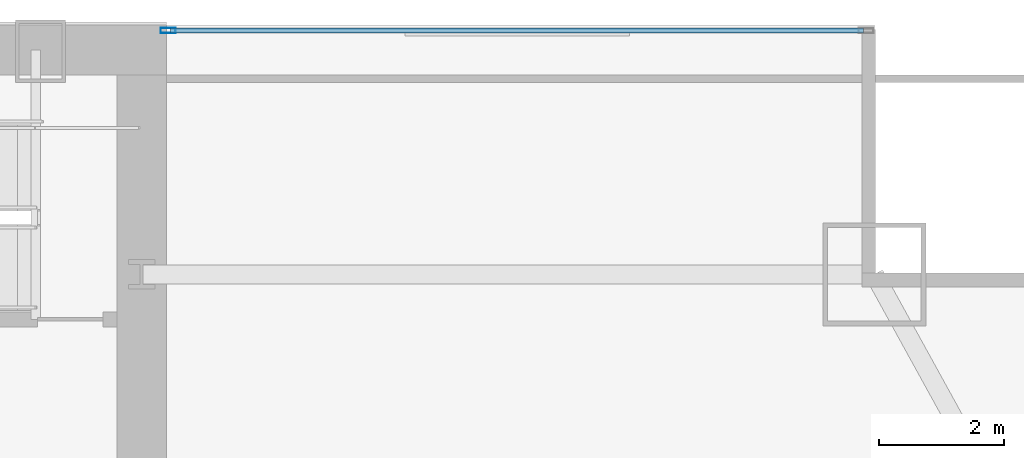
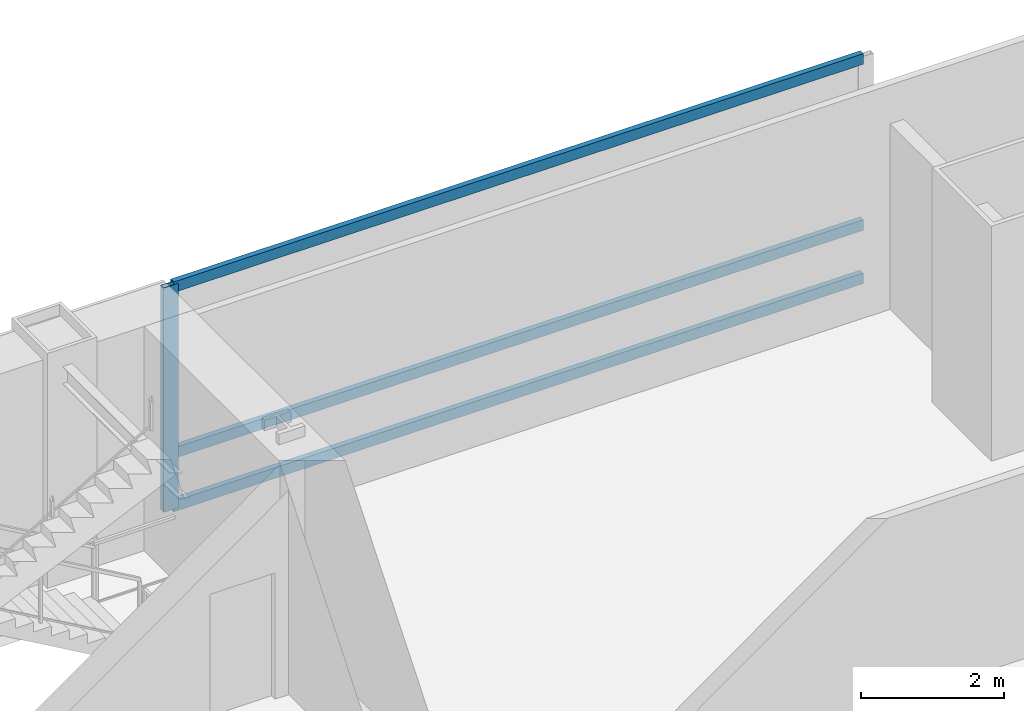
# One storey, part 20 of 32: 4 members, 1 element without a shape of its own.
"""IFC4 building model written with IfcOpenShell, lengths in metres."""

import ifcopenshell
import ifcopenshell.guid

model = None  # the IFC model being written
_history = None  # IfcOwnerHistory: only IFC2X3 demands one
_inside = {}  # id of a spatial element -> (the spatial element, [elements in it])
_under = {}  # id of a project, library or spatial element -> (it, [spatial elements below it])
_declared = {}  # id of a project -> (the project, [libraries it declares])
_typed = {}  # id of a type object -> (the type object, [elements of that type])
_made_of = {}  # id of a material, layer set ... -> (it, [elements and type objects made of it])


def new_model(schema):
    """Start an empty IFC model of exactly this schema.

    Asked for "IFC4X3", IfcOpenShell would pick the latest addendum, in which some entities
    have other attributes; the version numbers below select the first issue.
    IFC2X3 requires an IfcOwnerHistory on every rooted entity: one is made here for all.
    """
    global model, _history
    if schema == "IFC4X3":
        model = ifcopenshell.file(schema_version=(4, 3, 0, 0))
    else:
        model = ifcopenshell.file(schema=schema)
    _inside.clear()
    _under.clear()
    _declared.clear()
    _typed.clear()
    _made_of.clear()
    _history = None
    if model.schema == "IFC2X3":
        org = make("IfcOrganization", Name="unknown")
        user = make(
            "IfcPersonAndOrganization",
            ThePerson=make("IfcPerson", FamilyName="unknown"),
            TheOrganization=org,
        )
        app = make(
            "IfcApplication",
            ApplicationDeveloper=org,
            Version="unknown",
            ApplicationFullName="unknown",
            ApplicationIdentifier="unknown",
        )
        _history = make(
            "IfcOwnerHistory",
            OwningUser=user,
            OwningApplication=app,
            ChangeAction="ADDED",
            CreationDate=0,
        )
    return model


def make(cls, **values):
    """One entity of the class cls with the attributes given. An attribute that is None is left unset."""
    return model.create_entity(
        cls, **{name: value for name, value in values.items() if value is not None}
    )


def rooted(cls, **values):
    """An entity with a GlobalId (a new one), such as an element, a storey or a relation."""
    return make(cls, GlobalId=ifcopenshell.guid.new(), OwnerHistory=_history, **values)


def si_unit(unit_type, name, prefix=None):
    """IfcSIUnit, for example si_unit("LENGTHUNIT", "METRE", prefix="MILLI")."""
    return make("IfcSIUnit", UnitType=unit_type, Prefix=prefix, Name=name)


def assignment(units):
    """IfcUnitAssignment: the units of a project."""
    return None if units is None else make("IfcUnitAssignment", Units=units)


def point(xyz):
    """IfcCartesianPoint."""
    return None if xyz is None else make("IfcCartesianPoint", Coordinates=xyz)


def direction(xyz):
    """IfcDirection."""
    return None if xyz is None else make("IfcDirection", DirectionRatios=xyz)


def frame(location, z_axis=None, x_axis=None):
    """IfcAxis2Placement3D, a coordinate frame: its origin and axes. An axis left out is left unset."""
    return make(
        "IfcAxis2Placement3D",
        Location=point(location),
        Axis=direction(z_axis),
        RefDirection=direction(x_axis),
    )


def frame_2d(location, x_axis=None):
    """IfcAxis2Placement2D, a coordinate frame in the plane: its origin and x axis."""
    return make(
        "IfcAxis2Placement2D", Location=point(location), RefDirection=direction(x_axis)
    )


def origin():
    """The frame at (0, 0, 0) with its axes left unset."""
    return frame((0.0, 0.0, 0.0))


def origin_2d():
    """The frame at (0, 0) in the plane with its x axis left unset."""
    return frame_2d((0.0, 0.0))


def place(relative_to, where):
    """IfcLocalPlacement: puts the frame where relative to a parent placement (None: the world)."""
    return make(
        "IfcLocalPlacement", PlacementRelTo=relative_to, RelativePlacement=where
    )


def context(
    kind, dimensions, precision=None, world=None, true_north=None, identifier=None
):
    """IfcGeometricRepresentationContext, for example the 3D "Model" context."""
    return make(
        "IfcGeometricRepresentationContext",
        ContextIdentifier=identifier,
        ContextType=kind,
        CoordinateSpaceDimension=dimensions,
        Precision=precision,
        WorldCoordinateSystem=world,
        TrueNorth=true_north,
    )


def subcontext(parent, identifier, kind, view, scale=None):
    """IfcGeometricRepresentationSubContext, for example "Body" below "Model"."""
    return make(
        "IfcGeometricRepresentationSubContext",
        ContextIdentifier=identifier,
        ContextType=kind,
        ParentContext=parent,
        TargetScale=scale,
        TargetView=view,
    )


def project(units=None, contexts=None):
    """IfcProject with its units and contexts."""
    return rooted(
        "IfcProject",
        Name="project",
        RepresentationContexts=contexts,
        UnitsInContext=assignment(units),
    )


def spatial(cls, under=None, at=None, **own):
    """A site, building, storey or space (cls), placed at a placement, below another one or the project."""
    s = rooted(cls, ObjectPlacement=at, **own)
    if under is not None:
        _under.setdefault(under.id(), (under, []))[1].append(s)
    return s


def profile(cls, at=None, kind="AREA", **sizes):
    """A parametric profile (cls). Its sizes go by their IFC names, for example OverallWidth=200.0."""
    return make(cls, ProfileType=kind, Position=at, **sizes)


def hollow_rectangle(**sizes):
    """IfcRectangleHollowProfileDef."""
    return profile("IfcRectangleHollowProfileDef", **sizes)


def extrude(swept, where, along, depth):
    """IfcExtrudedAreaSolid: the profile swept, set in the frame where, extruded along a direction by depth."""
    return make(
        "IfcExtrudedAreaSolid",
        SweptArea=swept,
        Position=where,
        ExtrudedDirection=direction(along),
        Depth=depth,
    )


def shape(context_of_items, identifier, shape_type, items):
    """IfcShapeRepresentation: the items that make up one representation, for example the "Body"."""
    return make(
        "IfcShapeRepresentation",
        ContextOfItems=context_of_items,
        RepresentationIdentifier=identifier,
        RepresentationType=shape_type,
        Items=items,
    )


def material(Name=None, Category=None):
    """IfcMaterial."""
    return make("IfcMaterial", Name=Name, Category=Category)


def material_profile(
    of_material, cross_section, Name=None, Category=None, Priority=None
):
    """IfcMaterialProfile: a cross section and its material."""
    return make(
        "IfcMaterialProfile",
        Name=Name,
        Material=of_material,
        Profile=cross_section,
        Priority=Priority,
        Category=Category,
    )


def profile_set(profiles, Name=None, composite=None):
    """IfcMaterialProfileSet."""
    return make(
        "IfcMaterialProfileSet",
        Name=Name,
        MaterialProfiles=profiles,
        CompositeProfile=composite,
    )


def made_of(thing, what):
    """Note that an element or type object is made of a material, layer set ...; save() writes the relation."""
    if what is not None:
        _made_of.setdefault(what.id(), (what, []))[1].append(thing)
    return thing


def type_object(cls, material=None, **own):
    """A type object (cls), such as IfcWallType, which elements share."""
    return made_of(rooted(cls, **own), material)


def element(
    cls,
    number,
    at=None,
    inside=None,
    cuts=None,
    type_object=None,
    material=None,
    context=None,
    identifier="Body",
    shape_type=None,
    held_by="IfcProductDefinitionShape",
    body=None,
    shapes=None,
    **own,
):
    """One element of the class cls, such as IfcWall. Its Tag is "e" and its number.

    at: its placement. inside: the storey or other place that contains it. cuts: it is an
    opening in that element (IfcRelVoidsElement). A single representation is given by context,
    identifier, shape_type and body (its items); several are given by shapes. held_by: the class
    of the entity that holds the representations. save() writes the other relations.
    """
    e = rooted(cls, Tag="e%d" % number, ObjectPlacement=at, **own)
    if body is not None:
        shapes = [shape(context, identifier, shape_type, body)]
    if shapes is not None:
        e.Representation = make(held_by, Representations=shapes)
    if inside is not None:
        _inside.setdefault(inside.id(), (inside, []))[1].append(e)
    if cuts is not None:
        rooted(
            "IfcRelVoidsElement", RelatingBuildingElement=cuts, RelatedOpeningElement=e
        )
    if type_object is not None:
        _typed.setdefault(type_object.id(), (type_object, []))[1].append(e)
    return made_of(e, material)


def aggregate(whole, parts):
    """IfcRelAggregates: a whole, such as a stair, and the parts it consists of."""
    return rooted("IfcRelAggregates", RelatingObject=whole, RelatedObjects=parts)


def save(model, path):
    """Write the relations noted so far, then the file.

    IfcRelAggregates (storeys below a building ...), IfcRelContainedInSpatialStructure (elements
    in a storey), IfcRelDefinesByType, IfcRelAssociatesMaterial and IfcRelDeclares: one each for
    every whole, place, type object, material and project.
    """
    for whole, parts in _under.values():
        aggregate(whole, parts)
    for where, things in _inside.values():
        rooted(
            "IfcRelContainedInSpatialStructure",
            RelatedElements=things,
            RelatingStructure=where,
        )
    for kind, things in _typed.values():
        rooted("IfcRelDefinesByType", RelatedObjects=things, RelatingType=kind)
    for what, things in _made_of.values():
        rooted("IfcRelAssociatesMaterial", RelatedObjects=things, RelatingMaterial=what)
    for by, libraries in _declared.values():
        rooted("IfcRelDeclares", RelatingContext=by, RelatedDefinitions=libraries)
    model.write(path)


model = new_model("IFC4")

# Units and contexts
model_context = context("Model", 3, precision=1e-05, world=origin(), true_north=direction((0.0, 1.0)))
body_context = subcontext(model_context, "Body", "Model", "MODEL_VIEW")
ifc_project = project(units=[si_unit("LENGTHUNIT", "METRE"), si_unit("AREAUNIT", "SQUARE_METRE"), si_unit("VOLUMEUNIT", "CUBIC_METRE"), si_unit("PLANEANGLEUNIT", "RADIAN"), si_unit("MASSUNIT", "GRAM", prefix="KILO")], contexts=[model_context])

# Site, building, storey
site_placement = place(None, origin())
site = spatial("IfcSite", under=ifc_project, at=site_placement, CompositionType="ELEMENT")
building_placement = place(site_placement, origin())
building = spatial("IfcBuilding", under=site, at=building_placement, Name="Khoronbel Lancet Exchange", CompositionType="ELEMENT")
storey_placement = place(building_placement, frame((0.0, 0.0, 41.800048828125)))
storey = spatial("IfcBuildingStorey", under=building, at=storey_placement, Name="L09", CompositionType="ELEMENT", Elevation=41.800048828125)

# Curtain wall, members
ifc_material_1 = material(Name="Low-E Solar Control Insulating Glass", Category="glass")
curtain_wall_type = type_object("IfcCurtainWallType", Name="CW-1", PredefinedType="NOTDEFINED", material=ifc_material_1)
curtain_wall_placement = place(storey_placement, origin())
curtain_wall = element("IfcCurtainWall", 1, at=curtain_wall_placement, inside=storey, type_object=curtain_wall_type, Name="Unitised curtain wall CW-L09-NEFLK", PredefinedType="NOTDEFINED")
ifc_material_2 = material(Name="Bronze-Anodised Aluminium 6063-T6", Category="aluminium")
ifc_material_profile_1 = material_profile(ifc_material_2, hollow_rectangle(XDim=0.0849609375, YDim=0.239990234375, WallThickness=0.006103515625, at=origin_2d()), Name="ALU MULLION 85x240")
ifc_profile_set_1 = profile_set([ifc_material_profile_1], Name="Bronze-Anodised Aluminium 6063-T6")
member_type_1 = type_object("IfcMemberType", Name="MEM-CWM1", PredefinedType="MULLION", material=ifc_profile_set_1)
member_1_placement = place(storey_placement, frame((56.722412109375, 53.610107421875, 0.0), z_axis=(0.0, 0.0, 1.0), x_axis=(0.0, -1.0, 0.0)))
member_1 = element("IfcMember", 2, at=member_1_placement, type_object=member_type_1, Name="CW1 mullion 2", PredefinedType="MULLION", context=body_context, shape_type="SweptSolid", body=[
    extrude(hollow_rectangle(XDim=0.0849609375, YDim=0.239990234375, WallThickness=0.006103515625, at=origin_2d()), origin(), (0.0, 0.0, 1.0), 3.820068359375),
])
ifc_material_profile_2 = material_profile(ifc_material_2, hollow_rectangle(XDim=0.0849609375, YDim=0.179931640625, WallThickness=0.0048828125, at=origin_2d()), Name="ALU TRANSOM 85x180")
ifc_profile_set_2 = profile_set([ifc_material_profile_2], Name="Bronze-Anodised Aluminium 6063-T6")
member_type_2 = type_object("IfcMemberType", Name="MEM-CWT1", PredefinedType="USERDEFINED", material=ifc_profile_set_2)
member_2_placement = place(storey_placement, frame((67.875, 53.610107421875, 0.04248046875), z_axis=(-1.0, 0.0, 0.0), x_axis=(0.0, -1.0, 0.0)))
member_2 = element("IfcMember", 3, at=member_2_placement, type_object=member_type_2, Name="CW1 transom 1.1", ObjectType="TRANSOM", PredefinedType="USERDEFINED", context=body_context, shape_type="SweptSolid", body=[
    extrude(hollow_rectangle(XDim=0.0849609375, YDim=0.179931640625, WallThickness=0.0048828125, at=origin_2d()), origin(), (0.0, 0.0, 1.0), 11.110107421875),
])
member_3_placement = place(storey_placement, frame((67.875, 53.610107421875, 0.949951171875), z_axis=(-1.0, 0.0, 0.0), x_axis=(0.0, -1.0, 0.0)))
member_3 = element("IfcMember", 4, at=member_3_placement, type_object=member_type_2, Name="CW1 transom 1.2", ObjectType="TRANSOM", PredefinedType="USERDEFINED", context=body_context, shape_type="SweptSolid", body=[
    extrude(hollow_rectangle(XDim=0.0849609375, YDim=0.179931640625, WallThickness=0.0048828125, at=origin_2d()), origin(), (0.0, 0.0, 1.0), 11.110107421875),
])
member_4_placement = place(storey_placement, frame((67.875, 53.610107421875, 3.77734375), z_axis=(-1.0, 0.0, 0.0), x_axis=(0.0, -1.0, 0.0)))
member_4 = element("IfcMember", 5, at=member_4_placement, type_object=member_type_2, Name="CW1 transom 1.3", ObjectType="TRANSOM", PredefinedType="USERDEFINED", context=body_context, shape_type="SweptSolid", body=[
    extrude(hollow_rectangle(XDim=0.0849609375, YDim=0.179931640625, WallThickness=0.0048828125, at=origin_2d()), origin(), (0.0, 0.0, 1.0), 11.110107421875),
])
aggregate(curtain_wall, [member_1, member_2, member_3, member_4])

save(model, "model.ifc")
